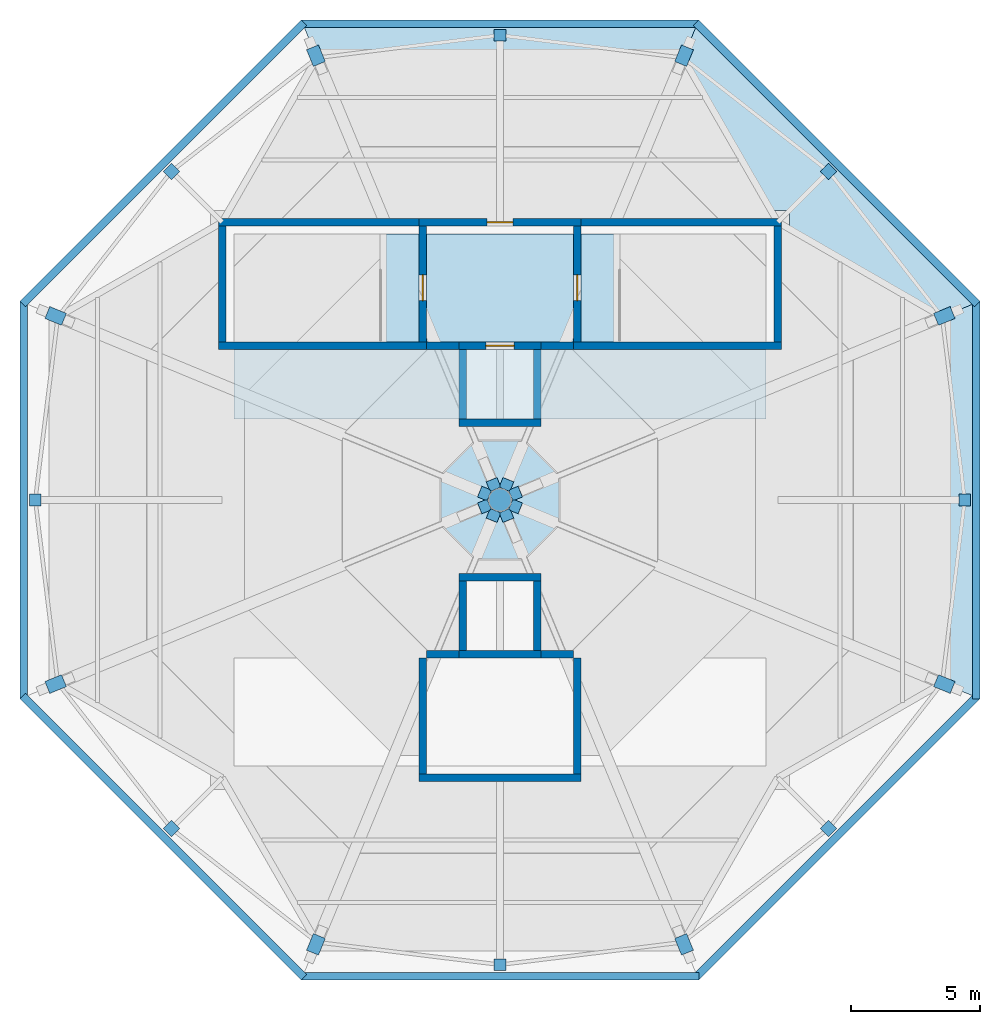
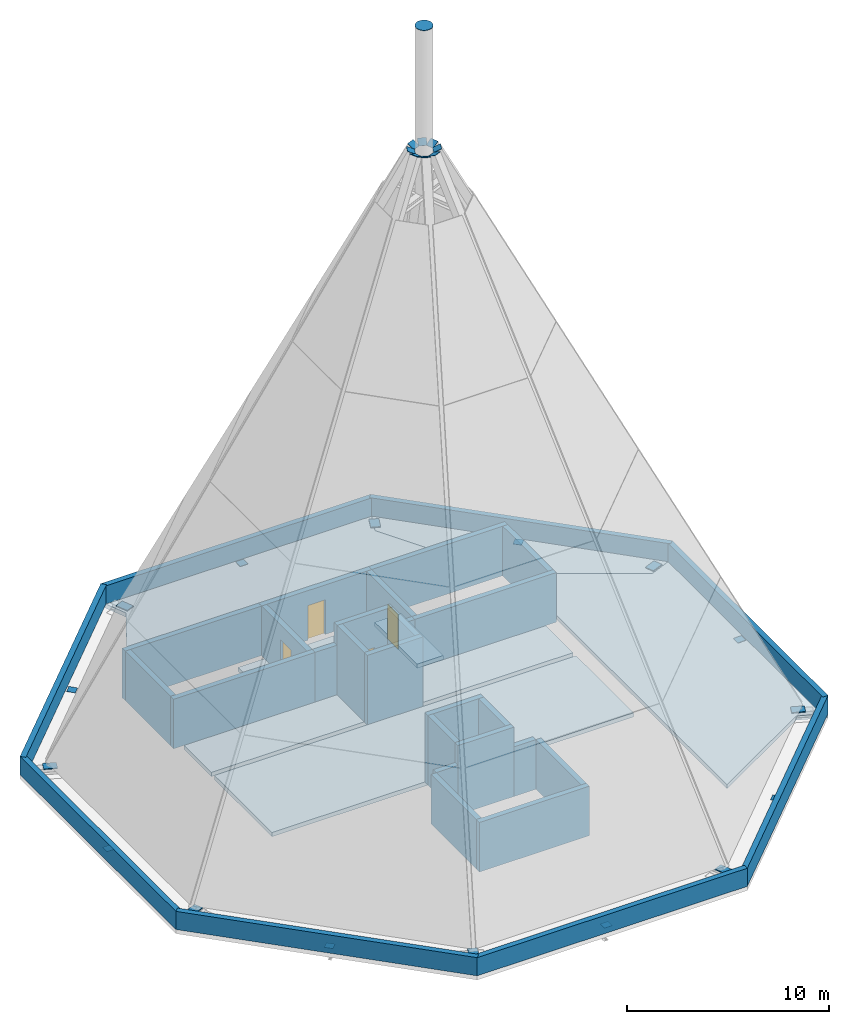
# One storey, part 2 of 4: 32 walls, 25 discrete accessories, 8 slabs, 4 doors, 4 openings.
"""IFC4 building model written with IfcOpenShell, lengths in metres."""

from ifc_helpers import new_model, si_unit, direction, frame, frame_2d, origin, origin_2d, place, context, subcontext, project, spatial, polyline, rectangle, circle, outline, extrude, source, transform, mapped, material, layer, layer_set, type_object, type_shapes, element, fill, save


model = new_model("IFC4")

# Units and contexts
model_context = context("Model", 3, precision=1e-05, world=origin(), true_north=direction((0.0, 1.0)))
body_context = subcontext(model_context, "Body", "Model", "MODEL_VIEW")
ifc_project = project(units=[si_unit("LENGTHUNIT", "METRE"), si_unit("AREAUNIT", "SQUARE_METRE"), si_unit("VOLUMEUNIT", "CUBIC_METRE"), si_unit("PLANEANGLEUNIT", "RADIAN"), si_unit("MASSUNIT", "GRAM", prefix="KILO")], contexts=[model_context])

# Site, building, storey
site_placement = place(None, origin())
site = spatial("IfcSite", under=ifc_project, at=site_placement, CompositionType="ELEMENT")
building_placement = place(site_placement, origin())
building = spatial("IfcBuilding", under=site, at=building_placement, Name="Mashrafa Tower", CompositionType="ELEMENT")
storey_placement = place(building_placement, frame((0.0, 0.0, 323.60009765625)))
storey = spatial("IfcBuildingStorey", under=building, at=storey_placement, Name="RF", CompositionType="ELEMENT", Elevation=323.60009765625)

# Slabs
ifc_material_1 = material(Name="Concrete C35/45", Category="concrete")
ifc_layer_1 = layer(ifc_material_1, 0.25)
ifc_layer_set_1 = layer_set([ifc_layer_1], Name="Roof slab 250")
slab_type_1 = type_object("IfcSlabType", Name="Roof slab 250", PredefinedType="ROOF", material=ifc_layer_set_1)
slab_1_placement = place(storey_placement, frame((0.0, 0.0, -0.25)))
element("IfcSlab", 1, at=slab_1_placement, inside=storey, type_object=slab_type_1, Name="Roof slab RF east bay", PredefinedType="ROOF", context=body_context, shape_type="SweptSolid", body=[
    extrude(outline(polyline([(18.66064453125, 7.7294921875), (18.66064453125, -7.7294921875), (18.66064453125, -7.7294921875), (17.189453125, -7.1201171875), (11.25, -10.540771484375), (11.25, 10.540771484375), (17.189453125, 7.1201171875), (18.66064453125, 7.7294921875), (18.66064453125, 7.7294921875)])), origin(), (0.0, 0.0, 1.0), 0.25),
])
slab_2_placement = place(storey_placement, frame((0.0, 0.0, -0.25)))
element("IfcSlab", 2, at=slab_2_placement, inside=storey, type_object=slab_type_1, Name="Roof slab RF north-east bay", PredefinedType="ROOF", context=body_context, shape_type="SweptSolid", body=[
    extrude(outline(polyline([(18.66064453125, 7.7294921875), (17.189453125, 7.1201171875), (11.25, 10.540771484375), (11.25, 11.25), (10.540771484375, 11.25), (7.1201171875, 17.189453125), (7.7294921875, 18.66064453125), (18.66064453125, 7.7294921875)])), origin(), (0.0, 0.0, 1.0), 0.25),
])
slab_3_placement = place(storey_placement, frame((0.0, 0.0, -0.25)))
element("IfcSlab", 3, at=slab_3_placement, inside=storey, type_object=slab_type_1, Name="Roof slab RF north bay", PredefinedType="ROOF", context=body_context, shape_type="SweptSolid", body=[
    extrude(outline(polyline([(-7.7294921875, 18.66064453125), (7.7294921875, 18.66064453125), (7.7294921875, 18.66064453125), (7.1201171875, 17.189453125), (10.540771484375, 11.25), (-10.540771484375, 11.25), (-7.1201171875, 17.189453125), (-7.7294921875, 18.66064453125), (-7.7294921875, 18.66064453125)])), origin(), (0.0, 0.0, 1.0), 0.25),
])
slab_4_placement = place(storey_placement, frame((0.0, 0.0, -0.25)))
element("IfcSlab", 4, at=slab_4_placement, inside=storey, type_object=slab_type_1, Name="Core floor lift hall RF", PredefinedType="ROOF", context=body_context, shape_type="SweptSolid", body=[
    extrude(outline(polyline([(10.35009765625, 2.85009765625), (10.35009765625, -2.85009765625), (-10.35009765625, -2.85009765625), (-10.35009765625, 2.85009765625), (10.35009765625, 2.85009765625)])), origin(), (0.0, 0.0, 1.0), 0.25),
])
slab_5_placement = place(storey_placement, frame((0.0, 0.0, -0.25)))
element("IfcSlab", 5, at=slab_5_placement, inside=storey, type_object=slab_type_1, Name="Core floor lift cell RF", PredefinedType="ROOF", context=body_context, shape_type="SweptSolid", body=[
    extrude(outline(polyline([(-10.35009765625, 5.85009765625), (10.35009765625, 5.85009765625), (10.35009765625, 3.14990234375), (-10.35009765625, 3.14990234375), (-10.35009765625, 5.85009765625)])), origin(), (0.0, 0.0, 1.0), 0.25),
])
slab_6_placement = place(storey_placement, frame((0.0, 0.0, -0.25)))
element("IfcSlab", 6, at=slab_6_placement, inside=storey, type_object=slab_type_1, Name="Core floor fire-fighting lobby north RF", PredefinedType="ROOF", context=body_context, shape_type="SweptSolid", body=[
    extrude(outline(polyline([(2.85009765625, 10.35009765625), (2.85009765625, 6.14990234375), (-2.85009765625, 6.14990234375), (-2.85009765625, 10.35009765625), (2.85009765625, 10.35009765625)])), origin(), (0.0, 0.0, 1.0), 0.25),
])
ifc_material_2 = material(Name="Concrete C32/40", Category="concrete")
ifc_layer_2 = layer(ifc_material_2, 0.25)
ifc_layer_set_2 = layer_set([ifc_layer_2], Name="Stair landing 250")
slab_type_2 = type_object("IfcSlabType", Name="Stair landing 250", PredefinedType="LANDING", material=ifc_layer_set_2)
slab_7_placement = place(storey_placement, frame((0.0, 0.0, -0.25)))
element("IfcSlab", 7, at=slab_7_placement, inside=storey, type_object=slab_type_2, Name="Stair S1 landing RF", PredefinedType="LANDING", context=body_context, shape_type="SweptSolid", body=[
    extrude(outline(polyline([(-4.659912109375, 6.14990234375), (-3.14990234375, 6.14990234375), (-3.14990234375, 10.35009765625), (-4.659912109375, 10.35009765625), (-4.659912109375, 6.14990234375)])), origin(), (0.0, 0.0, 1.0), 0.25),
])
slab_8_placement = place(storey_placement, frame((0.0, 0.0, -0.25)))
element("IfcSlab", 8, at=slab_8_placement, inside=storey, type_object=slab_type_2, Name="Stair S2 landing RF", PredefinedType="LANDING", context=body_context, shape_type="SweptSolid", body=[
    extrude(outline(polyline([(3.14990234375, 6.14990234375), (4.659912109375, 6.14990234375), (4.659912109375, 10.35009765625), (3.14990234375, 10.35009765625), (3.14990234375, 6.14990234375)])), origin(), (0.0, 0.0, 1.0), 0.25),
])

# Walls
ifc_material_3 = material(Name="Concrete C35/45", Category="concrete")
ifc_layer_3 = layer(ifc_material_3, 0.300048828125)
ifc_layer_set_3 = layer_set([ifc_layer_3], Name="Head-house wall 300 C35/45")
wall_type_1 = type_object("IfcWallType", Name="Head-house wall 300 C35/45", PredefinedType="SOLIDWALL", material=ifc_layer_set_3)
for number, where, z_axis, x_axis, name in (
    (9, (-10.949951171875, 6.0, 0.0), (0.0, 0.0, 1.0), (1.0, 0.0, 0.0), "Stair S1 head-house wall S"),
    (10, (-2.85009765625, 10.800048828125, 0.0), (0.0, 0.0, 1.0), (-1.0, 0.0, 0.0), "Stair S1 head-house wall N"),
):
    element("IfcWall", number, at=place(storey_placement, frame(where, z_axis=z_axis, x_axis=x_axis)), inside=storey, type_object=wall_type_1, Name=name, PredefinedType="SOLIDWALL", context=body_context, shape_type="SweptSolid", body=[
        extrude(rectangle(XDim=8.099853515625, YDim=0.300048828125, at=frame_2d((4.0498046875, 0.0))), origin(), (0.0, 0.0, 1.0), 3.0),
    ])
wall_1_placement = place(storey_placement, frame((-10.800048828125, 10.64990234375, 0.0), z_axis=(0.0, 0.0, 1.0), x_axis=(0.0, -1.0, 0.0)))
element("IfcWall", 11, at=wall_1_placement, inside=storey, type_object=wall_type_1, Name="Stair S1 head-house wall W", PredefinedType="SOLIDWALL", context=body_context, shape_type="SweptSolid", body=[
    extrude(rectangle(XDim=4.5, YDim=0.300048828125, at=frame_2d((2.25, 0.0))), origin(), (0.0, 0.0, 1.0), 3.0),
])

# Wall, opening, door
wall_2_placement = place(storey_placement, frame((-3.0, 6.14990234375, 0.0), z_axis=(0.0, 0.0, 1.0), x_axis=(0.0, 1.0, 0.0)))
wall_2 = element("IfcWall", 12, at=wall_2_placement, inside=storey, type_object=wall_type_1, Name="Stair S1 head-house wall E", PredefinedType="SOLIDWALL", context=body_context, shape_type="SweptSolid", body=[
    extrude(rectangle(XDim=4.5, YDim=0.300048828125, at=frame_2d((2.25, 0.0))), origin(), (0.0, 0.0, 1.0), 3.0),
])
opening_1_placement = place(wall_2_placement, frame((1.60009765625, 0.0, 0.0)))
opening_1 = element("IfcOpeningElement", 13, at=opening_1_placement, cuts=wall_2, Name="Opening RF.001", PredefinedType="OPENING", context=body_context, shape_type="SweptSolid", body=[
    extrude(rectangle(XDim=1.0, YDim=2.10009765625, at=frame_2d((0.5, 1.050048828125))), frame((0.0, 0.159912109375, 0.0), z_axis=(0.0, -1.0, 0.0), x_axis=(1.0, 0.0, 0.0)), (0.0, 0.0, 1.0), 0.320068359375),
])
ifc_material_4 = material(Name="Steel door", Category="steel")
door_type_1 = type_object("IfcDoorType", Name="Roof stair door 1000 x 2100 90 min", OperationType="USERDEFINED", PredefinedType="DOOR", material=ifc_material_4)
door_1_placement = place(opening_1_placement, origin())
door_1 = element("IfcDoor", 14, at=door_1_placement, inside=storey, type_object=door_type_1, Name="Stair S1 roof door RF", OperationType="SINGLE_SWING_LEFT", OverallHeight=2.10009765625, OverallWidth=1.0, PredefinedType="DOOR", context=body_context, shape_type="SweptSolid", body=[
    extrude(rectangle(XDim=1.0, YDim=2.10009765625, at=frame_2d((0.5, 1.050048828125))), frame((0.0, 0.02490234375, 0.0), z_axis=(0.0, -1.0, 0.0), x_axis=(1.0, 0.0, 0.0)), (0.0, 0.0, 1.0), 0.050048828125),
])
fill(opening_1, door_1)

# Walls
for number, where, z_axis, x_axis, name in (
    (15, (2.85009765625, 6.0, 0.0), (0.0, 0.0, 1.0), (1.0, 0.0, 0.0), "Stair S2 head-house wall S"),
    (16, (10.949951171875, 10.800048828125, 0.0), (0.0, 0.0, 1.0), (-1.0, 0.0, 0.0), "Stair S2 head-house wall N"),
):
    element("IfcWall", number, at=place(storey_placement, frame(where, z_axis=z_axis, x_axis=x_axis)), inside=storey, type_object=wall_type_1, Name=name, PredefinedType="SOLIDWALL", context=body_context, shape_type="SweptSolid", body=[
        extrude(rectangle(XDim=8.099853515625, YDim=0.300048828125, at=frame_2d((4.0498046875, 0.0))), origin(), (0.0, 0.0, 1.0), 3.0),
    ])

# Wall, opening, door
wall_3_placement = place(storey_placement, frame((3.0, 10.64990234375, 0.0), z_axis=(0.0, 0.0, 1.0), x_axis=(0.0, -1.0, 0.0)))
wall_3 = element("IfcWall", 17, at=wall_3_placement, inside=storey, type_object=wall_type_1, Name="Stair S2 head-house wall W", PredefinedType="SOLIDWALL", context=body_context, shape_type="SweptSolid", body=[
    extrude(rectangle(XDim=4.5, YDim=0.300048828125, at=frame_2d((2.25, 0.0))), origin(), (0.0, 0.0, 1.0), 3.0),
])
opening_2_placement = place(wall_3_placement, frame((1.89990234375, 0.0, 0.0)))
opening_2 = element("IfcOpeningElement", 18, at=opening_2_placement, cuts=wall_3, Name="Opening RF.002", PredefinedType="OPENING", context=body_context, shape_type="SweptSolid", body=[
    extrude(rectangle(XDim=1.0, YDim=2.10009765625, at=frame_2d((0.5, 1.050048828125))), frame((0.0, 0.159912109375, 0.0), z_axis=(0.0, -1.0, 0.0), x_axis=(1.0, 0.0, 0.0)), (0.0, 0.0, 1.0), 0.320068359375),
])
door_2_placement = place(opening_2_placement, origin())
door_2 = element("IfcDoor", 19, at=door_2_placement, inside=storey, type_object=door_type_1, Name="Stair S2 roof door RF", OperationType="SINGLE_SWING_LEFT", OverallHeight=2.10009765625, OverallWidth=1.0, PredefinedType="DOOR", context=body_context, shape_type="SweptSolid", body=[
    extrude(rectangle(XDim=1.0, YDim=2.10009765625, at=frame_2d((0.5, 1.050048828125))), frame((0.0, 0.02490234375, 0.0), z_axis=(0.0, -1.0, 0.0), x_axis=(1.0, 0.0, 0.0)), (0.0, 0.0, 1.0), 0.050048828125),
])
fill(opening_2, door_2)

# Walls
wall_4_placement = place(storey_placement, frame((10.800048828125, 6.14990234375, 0.0), z_axis=(0.0, 0.0, 1.0), x_axis=(0.0, 1.0, 0.0)))
element("IfcWall", 20, at=wall_4_placement, inside=storey, type_object=wall_type_1, Name="Stair S2 head-house wall E", PredefinedType="SOLIDWALL", context=body_context, shape_type="SweptSolid", body=[
    extrude(rectangle(XDim=4.5, YDim=0.300048828125, at=frame_2d((2.25, 0.0))), origin(), (0.0, 0.0, 1.0), 3.0),
])
ifc_material_5 = material(Name="Concrete C35/45", Category="concrete")
ifc_layer_4 = layer(ifc_material_5, 0.300048828125)
ifc_layer_set_4 = layer_set([ifc_layer_4], Name="Lift overrun wall 300 3 hr")
wall_type_2 = type_object("IfcWallType", Name="Lift overrun wall 300 3 hr", PredefinedType="SOLIDWALL", material=ifc_layer_set_4)
wall_5_placement = place(storey_placement, frame((-1.60009765625, 3.0, 0.0), z_axis=(0.0, 0.0, 1.0), x_axis=(1.0, 0.0, 0.0)))
element("IfcWall", 21, at=wall_5_placement, inside=storey, type_object=wall_type_2, Name="Lift F1 overrun wall S RF", PredefinedType="SOLIDWALL", context=body_context, shape_type="SweptSolid", body=[
    extrude(rectangle(XDim=3.2001953125, YDim=0.300048828125, at=frame_2d((1.60009765625, 0.0))), origin(), (0.0, 0.0, 1.0), 4.199951171875),
])

# Wall, opening, door
wall_6_placement = place(storey_placement, frame((1.60009765625, 6.0, 0.0), z_axis=(0.0, 0.0, 1.0), x_axis=(-1.0, 0.0, 0.0)))
wall_6 = element("IfcWall", 22, at=wall_6_placement, inside=storey, type_object=wall_type_2, Name="Lift F1 overrun wall N RF", PredefinedType="SOLIDWALL", context=body_context, shape_type="SweptSolid", body=[
    extrude(rectangle(XDim=3.2001953125, YDim=0.300048828125, at=frame_2d((1.60009765625, 0.0))), origin(), (0.0, 0.0, 1.0), 4.199951171875),
])
opening_3_placement = place(wall_6_placement, frame((1.050048828125, 0.0, 0.0)))
opening_3 = element("IfcOpeningElement", 23, at=opening_3_placement, cuts=wall_6, Name="Opening RF.F1", PredefinedType="OPENING", context=body_context, shape_type="SweptSolid", body=[
    extrude(rectangle(XDim=1.10009765625, YDim=2.10009765625, at=frame_2d((0.550048828125, 1.050048828125))), frame((0.0, 0.159912109375, 0.0), z_axis=(0.0, -1.0, 0.0), x_axis=(1.0, 0.0, 0.0)), (0.0, 0.0, 1.0), 0.320068359375),
])
ifc_material_6 = material(Name="Steel door", Category="steel")
door_type_2 = type_object("IfcDoorType", Name="Lift landing door 1100 x 2100 90 min", OperationType="DOUBLE_DOOR_SLIDING", PredefinedType="DOOR", material=ifc_material_6)
door_3_placement = place(opening_3_placement, origin())
door_3 = element("IfcDoor", 24, at=door_3_placement, inside=storey, type_object=door_type_2, Name="Lift landing door F1 RF", OperationType="DOUBLE_DOOR_SLIDING", OverallHeight=2.10009765625, OverallWidth=1.10009765625, PredefinedType="DOOR", context=body_context, shape_type="SweptSolid", body=[
    extrude(rectangle(XDim=1.10009765625, YDim=2.10009765625, at=frame_2d((0.550048828125, 1.050048828125))), frame((0.0, 0.02490234375, 0.0), z_axis=(0.0, -1.0, 0.0), x_axis=(1.0, 0.0, 0.0)), (0.0, 0.0, 1.0), 0.050048828125),
])
fill(opening_3, door_3)

# Walls
for number, where, z_axis, x_axis, name in (
    (25, (-1.449951171875, 5.85009765625, 0.0), (0.0, 0.0, 1.0), (0.0, -1.0, 0.0), "Lift F1 overrun wall W RF"),
    (26, (1.449951171875, 3.14990234375, 0.0), (0.0, 0.0, 1.0), (0.0, 1.0, 0.0), "Lift F1 overrun wall E RF"),
):
    element("IfcWall", number, at=place(storey_placement, frame(where, z_axis=z_axis, x_axis=x_axis)), inside=storey, type_object=wall_type_2, Name=name, PredefinedType="SOLIDWALL", context=body_context, shape_type="SweptSolid", body=[
        extrude(rectangle(XDim=2.7001953125, YDim=0.300048828125, at=frame_2d((1.35009765625, 0.0))), origin(), (0.0, 0.0, 1.0), 4.199951171875),
    ])
for number, where, z_axis, x_axis, name in (
    (27, (-1.60009765625, -6.0, 0.0), (0.0, 0.0, 1.0), (1.0, 0.0, 0.0), "Lift F2 overrun wall S RF"),
    (28, (1.60009765625, -3.0, 0.0), (0.0, 0.0, 1.0), (-1.0, 0.0, 0.0), "Lift F2 overrun wall N RF"),
):
    element("IfcWall", number, at=place(storey_placement, frame(where, z_axis=z_axis, x_axis=x_axis)), inside=storey, type_object=wall_type_2, Name=name, PredefinedType="SOLIDWALL", context=body_context, shape_type="SweptSolid", body=[
        extrude(rectangle(XDim=3.2001953125, YDim=0.300048828125, at=frame_2d((1.60009765625, 0.0))), origin(), (0.0, 0.0, 1.0), 4.199951171875),
    ])
for number, where, z_axis, x_axis, name in (
    (29, (-1.449951171875, -3.14990234375, 0.0), (0.0, 0.0, 1.0), (0.0, -1.0, 0.0), "Lift F2 overrun wall W RF"),
    (30, (1.449951171875, -5.85009765625, 0.0), (0.0, 0.0, 1.0), (0.0, 1.0, 0.0), "Lift F2 overrun wall E RF"),
):
    element("IfcWall", number, at=place(storey_placement, frame(where, z_axis=z_axis, x_axis=x_axis)), inside=storey, type_object=wall_type_2, Name=name, PredefinedType="SOLIDWALL", context=body_context, shape_type="SweptSolid", body=[
        extrude(rectangle(XDim=2.7001953125, YDim=0.300048828125, at=frame_2d((1.35009765625, 0.0))), origin(), (0.0, 0.0, 1.0), 4.199951171875),
    ])
ifc_material_7 = material(Name="Limestone-clad parapet", Category="masonry")
ifc_layer_5 = layer(ifc_material_7, 0.300048828125)
ifc_layer_set_5 = layer_set([ifc_layer_5], Name="Limestone parapet 300")
wall_type_3 = type_object("IfcWallType", Name="Limestone parapet 300", PredefinedType="PARAPET", material=ifc_layer_set_5)
for number, where, z_axis, x_axis, name in (
    (31, (18.510498046875, -7.7294921875, 0.0), (0.0, 0.0, 1.0), (0.0, 1.0, 0.0), "Parapet RF east"),
    (32, (18.554443359375, 7.623291015625, 0.0), (0.0, 0.0, 1.0), (-0.707106781187, 0.707106781187, 0.0), "Parapet RF north-east"),
    (33, (7.7294921875, 18.510498046875, 0.0), (0.0, 0.0, 1.0), (-1.0, 0.0, 0.0), "Parapet RF north"),
    (34, (-7.623291015625, 18.554443359375, 0.0), (0.0, 0.0, 1.0), (-0.707106781187, -0.707106781187, 0.0), "Parapet RF north-west"),
    (35, (-18.510498046875, 7.7294921875, 0.0), (0.0, 0.0, 1.0), (0.0, -1.0, 0.0), "Parapet RF west"),
    (36, (-18.554443359375, -7.623291015625, 0.0), (0.0, 0.0, 1.0), (0.707106781187, -0.707106781187, 0.0), "Parapet RF south-west"),
    (37, (-7.7294921875, -18.510498046875, 0.0), (0.0, 0.0, 1.0), (1.0, 0.0, 0.0), "Parapet RF south"),
    (38, (7.623291015625, -18.554443359375, 0.0), (0.0, 0.0, 1.0), (0.707106781187, 0.707106781187, 0.0), "Parapet RF south-east"),
):
    element("IfcWall", number, at=place(storey_placement, frame(where, z_axis=z_axis, x_axis=x_axis)), inside=storey, type_object=wall_type_3, Name=name, PredefinedType="PARAPET", context=body_context, shape_type="SweptSolid", body=[
        extrude(rectangle(XDim=15.458984375, YDim=0.300048828125, at=frame_2d((7.7294921875, 0.0))), origin(), (0.0, 0.0, 1.0), 1.099853515625),
    ])

# Wall, opening, door
ifc_material_8 = material(Name="Concrete C35/45", Category="concrete")
ifc_layer_6 = layer(ifc_material_8, 0.300048828125)
ifc_layer_set_6 = layer_set([ifc_layer_6], Name="Roof lift lobby wall 300 3 hr")
wall_type_4 = type_object("IfcWallType", Name="Roof lift lobby wall 300 3 hr", PredefinedType="SOLIDWALL", material=ifc_layer_set_6)
wall_7_placement = place(storey_placement, frame((-3.14990234375, 10.800048828125, 0.0), z_axis=(0.0, 0.0, 1.0), x_axis=(1.0, 0.0, 0.0)))
wall_7 = element("IfcWall", 39, at=wall_7_placement, inside=storey, type_object=wall_type_4, Name="Roof lift lobby N wall O", PredefinedType="SOLIDWALL", context=body_context, shape_type="SweptSolid", body=[
    extrude(rectangle(XDim=6.2998046875, YDim=0.300048828125, at=frame_2d((3.14990234375, 0.0))), origin(), (0.0, 0.0, 1.0), 3.0),
])
opening_4_placement = place(wall_7_placement, frame((2.64990234375, 0.0, 0.0)))
opening_4 = element("IfcOpeningElement", 40, at=opening_4_placement, cuts=wall_7, Name="Opening RF.003", PredefinedType="OPENING", context=body_context, shape_type="SweptSolid", body=[
    extrude(rectangle(XDim=1.0, YDim=2.10009765625, at=frame_2d((0.5, 1.050048828125))), frame((0.0, 0.159912109375, 0.0), z_axis=(0.0, -1.0, 0.0), x_axis=(1.0, 0.0, 0.0)), (0.0, 0.0, 1.0), 0.320068359375),
])
ifc_material_9 = material(Name="Steel door", Category="steel")
door_type_3 = type_object("IfcDoorType", Name="Stair door 1000 x 2100 90 min", OperationType="USERDEFINED", PredefinedType="DOOR", material=ifc_material_9)
door_4_placement = place(opening_4_placement, origin())
door_4 = element("IfcDoor", 41, at=door_4_placement, inside=storey, type_object=door_type_3, Name="Roof lift lobby N door to the roof", OperationType="SINGLE_SWING_LEFT", OverallHeight=2.10009765625, OverallWidth=1.0, PredefinedType="DOOR", context=body_context, shape_type="SweptSolid", body=[
    extrude(rectangle(XDim=1.0, YDim=2.10009765625, at=frame_2d((0.5, 1.050048828125))), frame((0.0, 0.02490234375, 0.0), z_axis=(0.0, -1.0, 0.0), x_axis=(1.0, 0.0, 0.0)), (0.0, 0.0, 1.0), 0.050048828125),
])
fill(opening_4, door_4)

# Walls
for number, where, z_axis, x_axis, name in (
    (42, (-2.85009765625, 6.0, 0.0), (0.0, 0.0, 1.0), (1.0, 0.0, 0.0), "Roof lift lobby N wall B1"),
    (43, (1.60009765625, 6.0, 0.0), (0.0, 0.0, 1.0), (1.0, 0.0, 0.0), "Roof lift lobby N wall B2"),
):
    element("IfcWall", number, at=place(storey_placement, frame(where, z_axis=z_axis, x_axis=x_axis)), inside=storey, type_object=wall_type_4, Name=name, PredefinedType="SOLIDWALL", context=body_context, shape_type="SweptSolid", body=[
        extrude(rectangle(XDim=1.25, YDim=0.300048828125, at=frame_2d((0.625, 0.0))), origin(), (0.0, 0.0, 1.0), 3.0),
    ])
wall_8_placement = place(storey_placement, frame((-3.14990234375, -10.800048828125, 0.0), z_axis=(0.0, 0.0, 1.0), x_axis=(1.0, 0.0, 0.0)))
element("IfcWall", 44, at=wall_8_placement, inside=storey, type_object=wall_type_4, Name="Roof lift lobby S wall O", PredefinedType="SOLIDWALL", context=body_context, shape_type="SweptSolid", body=[
    extrude(rectangle(XDim=6.2998046875, YDim=0.300048828125, at=frame_2d((3.14990234375, 0.0))), origin(), (0.0, 0.0, 1.0), 3.0),
])
for number, where, z_axis, x_axis, name in (
    (45, (-2.85009765625, -6.0, 0.0), (0.0, 0.0, 1.0), (1.0, 0.0, 0.0), "Roof lift lobby S wall B1"),
    (46, (1.60009765625, -6.0, 0.0), (0.0, 0.0, 1.0), (1.0, 0.0, 0.0), "Roof lift lobby S wall B2"),
):
    element("IfcWall", number, at=place(storey_placement, frame(where, z_axis=z_axis, x_axis=x_axis)), inside=storey, type_object=wall_type_4, Name=name, PredefinedType="SOLIDWALL", context=body_context, shape_type="SweptSolid", body=[
        extrude(rectangle(XDim=1.25, YDim=0.300048828125, at=frame_2d((0.625, 0.0))), origin(), (0.0, 0.0, 1.0), 3.0),
    ])
for number, where, z_axis, x_axis, name in (
    (47, (-3.0, -6.14990234375, 0.0), (0.0, 0.0, 1.0), (0.0, -1.0, 0.0), "Roof lift lobby S wall W"),
    (48, (3.0, -6.14990234375, 0.0), (0.0, 0.0, 1.0), (0.0, -1.0, 0.0), "Roof lift lobby S wall E"),
):
    element("IfcWall", number, at=place(storey_placement, frame(where, z_axis=z_axis, x_axis=x_axis)), inside=storey, type_object=wall_type_4, Name=name, PredefinedType="SOLIDWALL", context=body_context, shape_type="SweptSolid", body=[
        extrude(rectangle(XDim=4.5, YDim=0.300048828125, at=frame_2d((2.25, 0.0))), origin(), (0.0, 0.0, 1.0), 3.0),
    ])

# Discrete accessories
ifc_material_10 = material(Name="Steel S355 end cap plate", Category="steel")
discrete_accessory_type_1 = type_object("IfcDiscreteAccessoryType", Name="Column end cap plate 450 x 450 x 20", PredefinedType="BRACKET", material=ifc_material_10)
for number, where, z_axis, x_axis, name in (
    (49, (18.060546875, 0.0, 0.0), (-0.024683834759, 0.0, 0.999695307732), (0.0, -1.0, 0.0), "Column end cap plate SC1"),
    (50, (12.770751953125, 12.770751953125, 0.0), (-0.024676318366, -0.024676318366, 0.999390893807), (0.707106781187, -0.707106781187, 0.0), "Column end cap plate SC2"),
    (51, (0.0, 18.060546875, 0.0), (0.0, -0.024683834759, 0.999695307732), (1.0, 0.0, 0.0), "Column end cap plate SC3"),
    (52, (-12.770751953125, 12.770751953125, 0.0), (0.024676318366, -0.024676318366, 0.999390893807), (0.707106781187, 0.707106781187, 0.0), "Column end cap plate SC4"),
    (53, (-18.060546875, 0.0, 0.0), (0.024683834759, 0.0, 0.999695307732), (0.0, 1.0, 0.0), "Column end cap plate SC5"),
    (54, (-12.770751953125, -12.770751953125, 0.0), (0.024676318366, 0.024676318366, 0.999390893807), (-0.707106781187, 0.707106781187, 0.0), "Column end cap plate SC6"),
    (55, (0.0, -18.060546875, 0.0), (0.0, 0.024683834759, 0.999695307732), (-1.0, 0.0, 0.0), "Column end cap plate SC7"),
    (56, (12.770751953125, -12.770751953125, 0.0), (-0.024676318366, 0.024676318366, 0.999390893807), (-0.707106781187, -0.707106781187, 0.0), "Column end cap plate SC8"),
):
    element("IfcDiscreteAccessory", number, at=place(storey_placement, frame(where, z_axis=z_axis, x_axis=x_axis)), inside=storey, type_object=discrete_accessory_type_1, Name=name, PredefinedType="BRACKET", context=body_context, shape_type="SweptSolid", body=[
        extrude(rectangle(XDim=0.449951171875, YDim=0.449951171875, at=origin_2d()), origin(), (0.0, 0.0, 1.0), 0.019775390625),
    ])
ifc_material_11 = material(Name="Steel S355 end cap plate", Category="steel")
discrete_accessory_type_2 = type_object("IfcDiscreteAccessoryType", Name="Crown finial end cap plate 900 x 25", PredefinedType="BRACKET", material=ifc_material_11)
discrete_accessory_placement = place(storey_placement, frame((0.0, 0.0, 43.474853515625), z_axis=(0.0, 0.0, 1.0), x_axis=(1.0, 0.0, 0.0)))
element("IfcDiscreteAccessory", 57, at=discrete_accessory_placement, inside=storey, type_object=discrete_accessory_type_2, Name="Crown finial end cap plate", PredefinedType="BRACKET", context=body_context, shape_type="SweptSolid", body=[
    extrude(circle(Radius=0.449951171875, at=origin_2d()), origin(), (0.0, 0.0, 1.0), 0.025146484375),
])
ifc_material_12 = material(Name="Steel S355 end cap plate", Category="steel")
discrete_accessory_type_3 = type_object("IfcDiscreteAccessoryType", Name="Crown rib end cap plate 450 x 450 x 20", PredefinedType="BRACKET", material=ifc_material_12)
for number, where, z_axis, x_axis, name in (
    (58, (0.609375, 0.25244140625, 35.982177734375), (-0.415966332558, -0.171280254583, 0.89310418461), (0.380749805254, -0.924678098475, 0.0), "Crown rib end cap plate 1"),
    (59, (0.25244140625, 0.609375, 35.982177734375), (-0.171280254583, -0.415966332558, 0.89310418461), (0.924678098475, -0.380749805254, 0.0), "Crown rib end cap plate 2"),
    (60, (-0.25244140625, 0.609375, 35.982177734375), (0.171280254583, -0.415966332558, 0.89310418461), (0.924678098475, 0.380749805254, 0.0), "Crown rib end cap plate 3"),
    (61, (-0.609375, 0.25244140625, 35.982177734375), (0.415966332558, -0.171280254583, 0.89310418461), (0.380749805254, 0.924678098475, 0.0), "Crown rib end cap plate 4"),
    (62, (-0.609375, -0.25244140625, 35.982177734375), (0.415966332558, 0.171280254583, 0.89310418461), (-0.380749805254, 0.924678098475, 0.0), "Crown rib end cap plate 5"),
    (63, (-0.25244140625, -0.609375, 35.982177734375), (0.171280254583, 0.415966332558, 0.89310418461), (-0.924678098475, 0.380749805254, 0.0), "Crown rib end cap plate 6"),
    (64, (0.25244140625, -0.609375, 35.982177734375), (-0.171280254583, 0.415966332558, 0.89310418461), (-0.924678098475, -0.380749805254, 0.0), "Crown rib end cap plate 7"),
    (65, (0.609375, -0.25244140625, 35.982177734375), (-0.415966332558, 0.171280254583, 0.89310418461), (-0.380749805254, -0.924678098475, 0.0), "Crown rib end cap plate 8"),
):
    element("IfcDiscreteAccessory", number, at=place(storey_placement, frame(where, z_axis=z_axis, x_axis=x_axis)), inside=storey, type_object=discrete_accessory_type_3, Name=name, PredefinedType="BRACKET", context=body_context, shape_type="SweptSolid", body=[
        extrude(rectangle(XDim=0.449951171875, YDim=0.449951171875, at=origin_2d()), origin(), (0.0, 0.0, 1.0), 0.02001953125),
    ])
ifc_material_13 = material(Name="Steel S355 base plate", Category="steel")
discrete_accessory_type_4 = type_object("IfcDiscreteAccessoryType", Name="Crown rib base plate 700 x 500 x 50", PredefinedType="BRACKET", material=ifc_material_13)
shared_shape = source(origin(), body_context, "Body", "SweptSolid", [
    extrude(rectangle(XDim=0.699951171875, YDim=0.5, at=origin_2d()), origin(), (0.0, 0.0, 1.0), 0.050048828125),
])
type_shapes(discrete_accessory_type_4, [shared_shape])
for number, where, z_axis, x_axis, name in (
    (66, (17.274658203125, 7.155517578125, 0.35546875), (0.0, 0.0, 1.0), (0.923879532511, 0.382683432365, 0.0), "Crown rib base plate 1"),
    (67, (7.155517578125, 17.274658203125, 0.35546875), (0.0, 0.0, 1.0), (0.382683432365, 0.923879532511, 0.0), "Crown rib base plate 2"),
    (68, (-7.155517578125, 17.274658203125, 0.35546875), (0.0, 0.0, 1.0), (-0.382683432365, 0.923879532511, 0.0), "Crown rib base plate 3"),
    (69, (-17.274658203125, 7.155517578125, 0.35546875), (0.0, 0.0, 1.0), (-0.923879532511, 0.382683432365, 0.0), "Crown rib base plate 4"),
    (70, (-17.274658203125, -7.155517578125, 0.35546875), (0.0, 0.0, 1.0), (-0.923879532511, -0.382683432365, 0.0), "Crown rib base plate 5"),
    (71, (-7.155517578125, -17.274658203125, 0.35546875), (0.0, 0.0, 1.0), (-0.382683432365, -0.923879532511, 0.0), "Crown rib base plate 6"),
    (72, (7.155517578125, -17.274658203125, 0.35546875), (0.0, 0.0, 1.0), (0.382683432365, -0.923879532511, 0.0), "Crown rib base plate 7"),
    (73, (17.274658203125, -7.155517578125, 0.35546875), (0.0, 0.0, 1.0), (0.923879532511, -0.382683432365, 0.0), "Crown rib base plate 8"),
):
    element("IfcDiscreteAccessory", number, at=place(storey_placement, frame(where, z_axis=z_axis, x_axis=x_axis)), inside=storey, type_object=discrete_accessory_type_4, Name=name, PredefinedType="BRACKET", context=body_context, shape_type="MappedRepresentation", body=[
        mapped(shared_shape, transform((0.0, 0.0, 0.0))),
    ])

save(model, "model.ifc")
